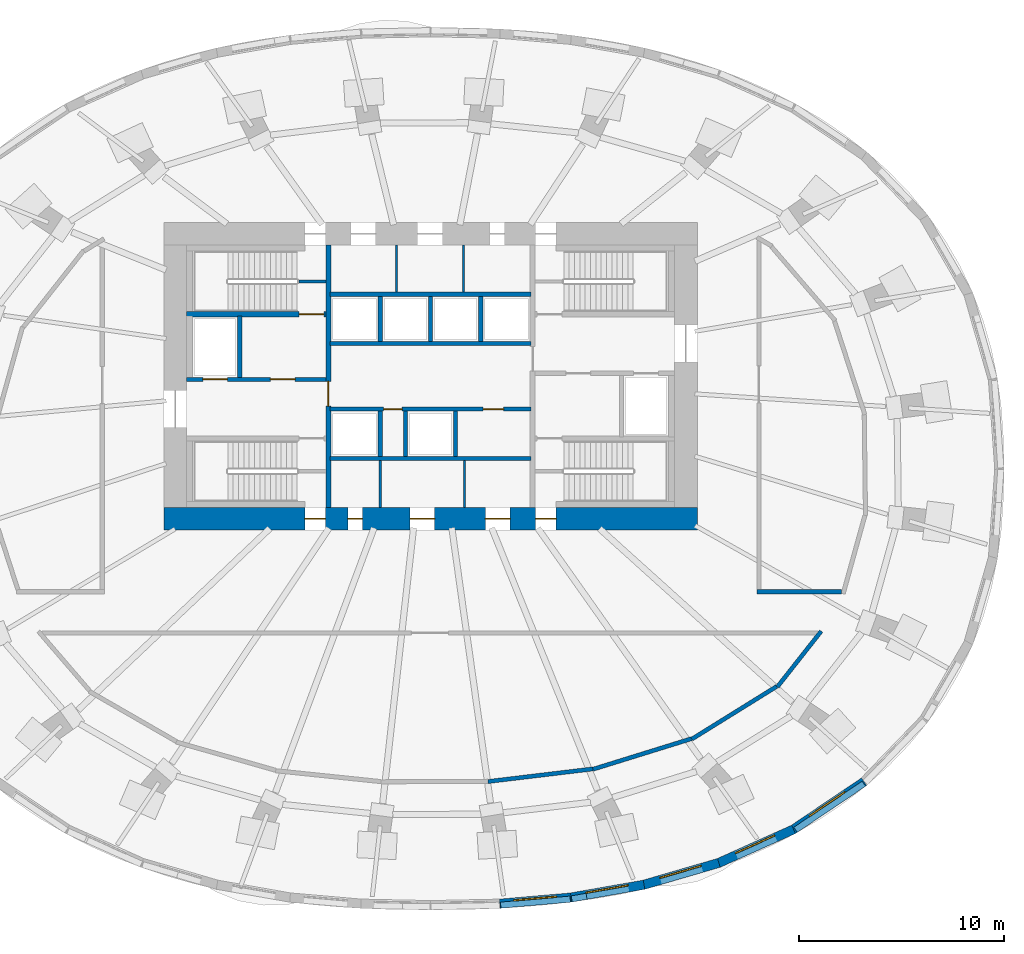
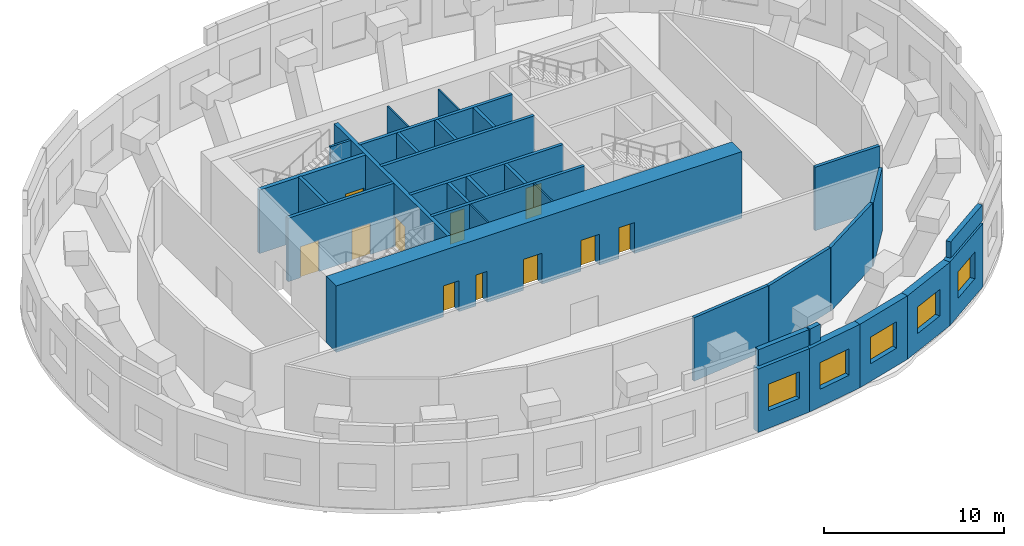
# One storey, part 5 of 9: 33 walls, 11 doors, 5 windows, 16 openings.
"""IFC4 building model written with IfcOpenShell, lengths in metres."""

from ifc_helpers import new_model, si_unit, direction, frame, frame_2d, origin, place, context, subcontext, project, spatial, rectangle, extrude, material, layer, layer_set, type_object, element, fill, save


model = new_model("IFC4")

# Units and contexts
model_context = context("Model", 3, precision=1e-05, world=origin(), true_north=direction((0.0, 1.0)))
body_context = subcontext(model_context, "Body", "Model", "MODEL_VIEW")
ifc_project = project(units=[si_unit("LENGTHUNIT", "METRE"), si_unit("AREAUNIT", "SQUARE_METRE"), si_unit("VOLUMEUNIT", "CUBIC_METRE"), si_unit("PLANEANGLEUNIT", "RADIAN"), si_unit("MASSUNIT", "GRAM", prefix="KILO")], contexts=[model_context])

# Site, building, storey
site_placement = place(None, origin())
site = spatial("IfcSite", under=ifc_project, at=site_placement, CompositionType="ELEMENT")
building_placement = place(site_placement, origin())
building = spatial("IfcBuilding", under=site, at=building_placement, Name="Rubra Terraces Tower", CompositionType="ELEMENT")
storey_placement = place(building_placement, frame((0.0, 0.0, 169.5)))
storey = spatial("IfcBuildingStorey", under=building, at=storey_placement, Name="L41", CompositionType="ELEMENT", Elevation=169.5)

# Wall, opening, window
ifc_material_1 = material(Name="Brick masonry red-brown", Category="masonry")
ifc_layer_1 = layer(ifc_material_1, 0.449951171875)
ifc_layer_set_1 = layer_set([ifc_layer_1], Name="Brick masonry red-brown")
wall_type_1 = type_object("IfcWallType", Name="Brick facade wall 450", PredefinedType="SOLIDWALL", material=ifc_layer_set_1)
wall_1_placement = place(storey_placement, frame((3.37451171875, -21.202880859375, 0.0), z_axis=(0.0, 0.0, 1.0), x_axis=(0.99625818993, 0.086426957587, 0.0)))
wall_1 = element("IfcWall", 1, at=wall_1_placement, inside=storey, type_object=wall_type_1, Name="Facade wall L41 bay 32", PredefinedType="SOLIDWALL", context=body_context, shape_type="SweptSolid", body=[
    extrude(rectangle(XDim=3.48291015625, YDim=0.449951171875, at=frame_2d((1.741455078125, 0.0))), origin(), (0.0, 0.0, 1.0), 4.300048828125),
])
opening_1_placement = place(wall_1_placement, frame((0.69140625, 0.0, 1.199951171875)))
opening_1 = element("IfcOpeningElement", 2, at=opening_1_placement, cuts=wall_1, Name="Opening W4", PredefinedType="OPENING", context=body_context, shape_type="SweptSolid", body=[
    extrude(rectangle(XDim=2.10009765625, YDim=1.800048828125, at=frame_2d((1.050048828125, 0.89990234375))), frame((0.0, 0.23486328125, 0.0), z_axis=(0.0, -1.0, 0.0), x_axis=(1.0, 0.0, 0.0)), (0.0, 0.0, 1.0), 0.469970703125),
])
ifc_material_2 = material(Name="Clear glass in aluminium frame", Category="aluminium")
window_type = type_object("IfcWindowType", Name="Louvred plant window 2100 x 1800", PartitioningType="SINGLE_PANEL", PredefinedType="WINDOW", material=ifc_material_2)
window_1_placement = place(opening_1_placement, origin())
window_1 = element("IfcWindow", 3, at=window_1_placement, inside=storey, type_object=window_type, Name="Window L41 bay 32", OverallHeight=1.800048828125, OverallWidth=2.10009765625, PartitioningType="SINGLE_PANEL", PredefinedType="WINDOW", context=body_context, shape_type="SweptSolid", body=[
    extrude(rectangle(XDim=2.10009765625, YDim=1.800048828125, at=frame_2d((1.050048828125, 0.89990234375))), frame((0.0, 0.135009765625, 0.0), z_axis=(0.0, -1.0, 0.0), x_axis=(1.0, 0.0, 0.0)), (0.0, 0.0, 1.0), 0.06005859375),
])
fill(opening_1, window_1)

wall_2_placement = place(storey_placement, frame((6.8251953125, -20.904296875, 0.0), z_axis=(0.0, 0.0, 1.0), x_axis=(0.984962239205, 0.172769752386, 0.0)))
wall_2 = element("IfcWall", 4, at=wall_2_placement, inside=storey, type_object=wall_type_1, Name="Facade wall L41 bay 33", PredefinedType="SOLIDWALL", context=body_context, shape_type="SweptSolid", body=[
    extrude(rectangle(XDim=3.634521484375, YDim=0.449951171875, at=frame_2d((1.8173828125, 0.0))), origin(), (0.0, 0.0, 1.0), 4.300048828125),
])
opening_2_placement = place(wall_2_placement, frame((0.767333984375, 0.0, 1.199951171875)))
opening_2 = element("IfcOpeningElement", 5, at=opening_2_placement, cuts=wall_2, Name="Opening W4", PredefinedType="OPENING", context=body_context, shape_type="SweptSolid", body=[
    extrude(rectangle(XDim=2.10009765625, YDim=1.800048828125, at=frame_2d((1.050048828125, 0.89990234375))), frame((0.0, 0.23486328125, 0.0), z_axis=(0.0, -1.0, 0.0), x_axis=(1.0, 0.0, 0.0)), (0.0, 0.0, 1.0), 0.469970703125),
])
window_2_placement = place(opening_2_placement, origin())
window_2 = element("IfcWindow", 6, at=window_2_placement, inside=storey, type_object=window_type, Name="Window L41 bay 33", OverallHeight=1.800048828125, OverallWidth=2.10009765625, PartitioningType="SINGLE_PANEL", PredefinedType="WINDOW", context=body_context, shape_type="SweptSolid", body=[
    extrude(rectangle(XDim=2.10009765625, YDim=1.800048828125, at=frame_2d((1.050048828125, 0.89990234375))), frame((0.0, 0.135009765625, 0.0), z_axis=(0.0, -1.0, 0.0), x_axis=(1.0, 0.0, 0.0)), (0.0, 0.0, 1.0), 0.06005859375),
])
fill(opening_2, window_2)

wall_3_placement = place(storey_placement, frame((10.381103515625, -20.281982421875, 0.0), z_axis=(0.0, 0.0, 1.0), x_axis=(0.960131452472, 0.279548911594, 0.0)))
wall_3 = element("IfcWall", 7, at=wall_3_placement, inside=storey, type_object=wall_type_1, Name="Facade wall L41 bay 34", PredefinedType="SOLIDWALL", context=body_context, shape_type="SweptSolid", body=[
    extrude(rectangle(XDim=3.824462890625, YDim=0.449951171875, at=frame_2d((1.912109375, 0.0))), origin(), (0.0, 0.0, 1.0), 4.300048828125),
])
opening_3_placement = place(wall_3_placement, frame((0.8623046875, 0.0, 1.199951171875)))
opening_3 = element("IfcOpeningElement", 8, at=opening_3_placement, cuts=wall_3, Name="Opening W4", PredefinedType="OPENING", context=body_context, shape_type="SweptSolid", body=[
    extrude(rectangle(XDim=2.10009765625, YDim=1.800048828125, at=frame_2d((1.050048828125, 0.89990234375))), frame((0.0, 0.23486328125, 0.0), z_axis=(0.0, -1.0, 0.0), x_axis=(1.0, 0.0, 0.0)), (0.0, 0.0, 1.0), 0.469970703125),
])
window_3_placement = place(opening_3_placement, origin())
window_3 = element("IfcWindow", 9, at=window_3_placement, inside=storey, type_object=window_type, Name="Window L41 bay 34", OverallHeight=1.800048828125, OverallWidth=2.10009765625, PartitioningType="SINGLE_PANEL", PredefinedType="WINDOW", context=body_context, shape_type="SweptSolid", body=[
    extrude(rectangle(XDim=2.10009765625, YDim=1.800048828125, at=frame_2d((1.050048828125, 0.89990234375))), frame((0.0, 0.135009765625, 0.0), z_axis=(0.0, -1.0, 0.0), x_axis=(1.0, 0.0, 0.0)), (0.0, 0.0, 1.0), 0.06005859375),
])
fill(opening_3, window_3)

wall_4_placement = place(storey_placement, frame((14.02392578125, -19.2236328125, 0.0), z_axis=(0.0, 0.0, 1.0), x_axis=(0.912580432801, 0.408897240966, 0.0)))
wall_4 = element("IfcWall", 10, at=wall_4_placement, inside=storey, type_object=wall_type_1, Name="Facade wall L41 bay 35", PredefinedType="SOLIDWALL", context=body_context, shape_type="SweptSolid", body=[
    extrude(rectangle(XDim=4.020751953125, YDim=0.449951171875, at=frame_2d((2.01025390625, 0.0))), origin(), (0.0, 0.0, 1.0), 4.300048828125),
])
opening_4_placement = place(wall_4_placement, frame((0.960205078125, 0.0, 1.199951171875)))
opening_4 = element("IfcOpeningElement", 11, at=opening_4_placement, cuts=wall_4, Name="Opening W4", PredefinedType="OPENING", context=body_context, shape_type="SweptSolid", body=[
    extrude(rectangle(XDim=2.10009765625, YDim=1.800048828125, at=frame_2d((1.050048828125, 0.89990234375))), frame((0.0, 0.23486328125, 0.0), z_axis=(0.0, -1.0, 0.0), x_axis=(1.0, 0.0, 0.0)), (0.0, 0.0, 1.0), 0.469970703125),
])
window_4_placement = place(opening_4_placement, origin())
window_4 = element("IfcWindow", 12, at=window_4_placement, inside=storey, type_object=window_type, Name="Window L41 bay 35", OverallHeight=1.800048828125, OverallWidth=2.10009765625, PartitioningType="SINGLE_PANEL", PredefinedType="WINDOW", context=body_context, shape_type="SweptSolid", body=[
    extrude(rectangle(XDim=2.10009765625, YDim=1.800048828125, at=frame_2d((1.050048828125, 0.89990234375))), frame((0.0, 0.135009765625, 0.0), z_axis=(0.0, -1.0, 0.0), x_axis=(1.0, 0.0, 0.0)), (0.0, 0.0, 1.0), 0.06005859375),
])
fill(opening_4, window_4)

wall_5_placement = place(storey_placement, frame((17.6591796875, -17.598388671875, 0.0), z_axis=(0.0, 0.0, 1.0), x_axis=(0.829077786947, 0.559133278557, 0.0)))
wall_5 = element("IfcWall", 13, at=wall_5_placement, inside=storey, type_object=wall_type_1, Name="Facade wall L41 bay 36", PredefinedType="SOLIDWALL", context=body_context, shape_type="SweptSolid", body=[
    extrude(rectangle(XDim=4.1865234375, YDim=0.449951171875, at=frame_2d((2.09326171875, 0.0))), origin(), (0.0, 0.0, 1.0), 4.300048828125),
])
opening_5_placement = place(wall_5_placement, frame((1.043212890625, 0.0, 1.199951171875)))
opening_5 = element("IfcOpeningElement", 14, at=opening_5_placement, cuts=wall_5, Name="Opening W4", PredefinedType="OPENING", context=body_context, shape_type="SweptSolid", body=[
    extrude(rectangle(XDim=2.10009765625, YDim=1.800048828125, at=frame_2d((1.050048828125, 0.89990234375))), frame((0.0, 0.23486328125, 0.0), z_axis=(0.0, -1.0, 0.0), x_axis=(1.0, 0.0, 0.0)), (0.0, 0.0, 1.0), 0.469970703125),
])
window_5_placement = place(opening_5_placement, origin())
window_5 = element("IfcWindow", 15, at=window_5_placement, inside=storey, type_object=window_type, Name="Window L41 bay 36", OverallHeight=1.800048828125, OverallWidth=2.10009765625, PartitioningType="SINGLE_PANEL", PredefinedType="WINDOW", context=body_context, shape_type="SweptSolid", body=[
    extrude(rectangle(XDim=2.10009765625, YDim=1.800048828125, at=frame_2d((1.050048828125, 0.89990234375))), frame((0.0, 0.135009765625, 0.0), z_axis=(0.0, -1.0, 0.0), x_axis=(1.0, 0.0, 0.0)), (0.0, 0.0, 1.0), 0.06005859375),
])
fill(opening_5, window_5)

# Walls
ifc_layer_2 = layer(ifc_material_1, 0.300048828125)
ifc_layer_set_2 = layer_set([ifc_layer_2], Name="Brick masonry red-brown")
wall_type_2 = type_object("IfcWallType", Name="Brick parapet 300", PredefinedType="PARAPET", material=ifc_layer_set_2)
wall_6_placement = place(storey_placement, frame((3.420654296875, -21.274169921875, 4.5), z_axis=(0.0, 0.0, 1.0), x_axis=(0.996256198743, 0.086449907264, 0.0)))
element("IfcWall", 16, at=wall_6_placement, inside=storey, type_object=wall_type_2, Name="Parapet L41 bay 32", PredefinedType="PARAPET", context=body_context, shape_type="SweptSolid", body=[
    extrude(rectangle(XDim=3.400146484375, YDim=0.300048828125, at=frame_2d((1.7001953125, 0.0))), origin(), (0.0, 0.0, 1.0), 1.10009765625),
])
wall_7_placement = place(storey_placement, frame((6.880615234375, -20.970703125, 4.5), z_axis=(0.0, 0.0, 1.0), x_axis=(0.984983831582, 0.172646608778, 0.0)))
element("IfcWall", 17, at=wall_7_placement, inside=storey, type_object=wall_type_2, Name="Parapet L41 bay 33", PredefinedType="PARAPET", context=body_context, shape_type="SweptSolid", body=[
    extrude(rectangle(XDim=0.73388671875, YDim=0.300048828125, at=frame_2d((0.366943359375, 0.0))), origin(), (0.0, 0.0, 1.0), 1.10009765625),
])
wall_8_placement = place(storey_placement, frame((17.790771484375, -17.60009765625, 4.5), z_axis=(0.0, 0.0, 1.0), x_axis=(0.829064921322, 0.559152355118, 0.0)))
element("IfcWall", 18, at=wall_8_placement, inside=storey, type_object=wall_type_2, Name="Parapet L41 bay 36", PredefinedType="PARAPET", context=body_context, shape_type="SweptSolid", body=[
    extrude(rectangle(XDim=4.016845703125, YDim=0.300048828125, at=frame_2d((2.00830078125, 0.0))), origin(), (0.0, 0.0, 1.0), 1.10009765625),
])

# Wall, openings, doors
ifc_material_3 = material(Name="Concrete C60", Category="concrete")
ifc_layer_3 = layer(ifc_material_3, 1.10009765625)
ifc_layer_set_3 = layer_set([ifc_layer_3], Name="Concrete C60")
wall_type_3 = type_object("IfcWallType", Name="CORE WALL 1100 C60", PredefinedType="SHEAR", material=ifc_layer_set_3)
wall_9_placement = place(storey_placement, frame((-13.0, -2.449951171875, 0.0), z_axis=(0.0, 0.0, 1.0), x_axis=(1.0, 0.0, 0.0)))
wall_9 = element("IfcWall", 19, at=wall_9_placement, inside=storey, type_object=wall_type_3, Name="CORE WALL S L41", PredefinedType="SHEAR", context=body_context, shape_type="SweptSolid", body=[
    extrude(rectangle(XDim=26.0, YDim=1.10009765625, at=frame_2d((13.0, 0.0))), origin(), (0.0, 0.0, 1.0), 4.5),
])
opening_6_placement = place(wall_9_placement, frame((8.97509765625, 0.0, 0.0)))
opening_6 = element("IfcOpeningElement", 20, at=opening_6_placement, cuts=wall_9, Name="Opening L41.C15", PredefinedType="OPENING", context=body_context, shape_type="SweptSolid", body=[
    extrude(rectangle(XDim=0.699951171875, YDim=2.10009765625, at=frame_2d((0.35009765625, 1.050048828125))), frame((0.0, 0.56005859375, 0.0), z_axis=(0.0, -1.0, 0.0), x_axis=(1.0, 0.0, 0.0)), (0.0, 0.0, 1.0), 1.1201171875),
])
opening_7_placement = place(wall_9_placement, frame((12.0, 0.0, 0.0)))
opening_7 = element("IfcOpeningElement", 21, at=opening_7_placement, cuts=wall_9, Name="Opening L41.C16", PredefinedType="OPENING", context=body_context, shape_type="SweptSolid", body=[
    extrude(rectangle(XDim=1.199951171875, YDim=2.10009765625, at=frame_2d((0.60009765625, 1.050048828125))), frame((0.0, 0.56005859375, 0.0), z_axis=(0.0, -1.0, 0.0), x_axis=(1.0, 0.0, 0.0)), (0.0, 0.0, 1.0), 1.1201171875),
])
opening_8_placement = place(wall_9_placement, frame((15.675048828125, 0.0, 0.0)))
opening_8 = element("IfcOpeningElement", 22, at=opening_8_placement, cuts=wall_9, Name="Opening L41.C17", PredefinedType="OPENING", context=body_context, shape_type="SweptSolid", body=[
    extrude(rectangle(XDim=1.199951171875, YDim=2.10009765625, at=frame_2d((0.60009765625, 1.050048828125))), frame((0.0, 0.56005859375, 0.0), z_axis=(0.0, -1.0, 0.0), x_axis=(1.0, 0.0, 0.0)), (0.0, 0.0, 1.0), 1.1201171875),
])
opening_9_placement = place(wall_9_placement, frame((6.8798828125, 0.0, 0.0)))
opening_9 = element("IfcOpeningElement", 23, at=opening_9_placement, cuts=wall_9, Name="Opening L41.C21", PredefinedType="OPENING", context=body_context, shape_type="SweptSolid", body=[
    extrude(rectangle(XDim=1.0, YDim=2.10009765625, at=frame_2d((0.5, 1.050048828125))), frame((0.0, 0.56005859375, 0.0), z_axis=(0.0, -1.0, 0.0), x_axis=(1.0, 0.0, 0.0)), (0.0, 0.0, 1.0), 1.1201171875),
])
opening_10_placement = place(wall_9_placement, frame((18.1201171875, 0.0, 0.0)))
opening_10 = element("IfcOpeningElement", 24, at=opening_10_placement, cuts=wall_9, Name="Opening L41.C24", PredefinedType="OPENING", context=body_context, shape_type="SweptSolid", body=[
    extrude(rectangle(XDim=1.0, YDim=2.10009765625, at=frame_2d((0.5, 1.050048828125))), frame((0.0, 0.56005859375, 0.0), z_axis=(0.0, -1.0, 0.0), x_axis=(1.0, 0.0, 0.0)), (0.0, 0.0, 1.0), 1.1201171875),
])
ifc_material_4 = material(Name="Painted steel", Category="steel")
door_type_1 = type_object("IfcDoorType", Name="Fire door 1000x2100 single", OperationType="NOTDEFINED", PredefinedType="DOOR", material=ifc_material_4)
door_1_placement = place(opening_9_placement, origin())
door_1 = element("IfcDoor", 25, at=door_1_placement, inside=storey, type_object=door_type_1, Name="Stair S1 refuge door", OperationType="SINGLE_SWING_LEFT", OverallHeight=2.10009765625, OverallWidth=1.0, PredefinedType="DOOR", context=body_context, shape_type="SweptSolid", body=[
    extrude(rectangle(XDim=1.0, YDim=2.10009765625, at=frame_2d((0.5, 1.050048828125))), frame((0.0, 0.02490234375, 0.0), z_axis=(0.0, -1.0, 0.0), x_axis=(1.0, 0.0, 0.0)), (0.0, 0.0, 1.0), 0.050048828125),
])
fill(opening_9, door_1)
door_2_placement = place(opening_10_placement, origin())
door_2 = element("IfcDoor", 26, at=door_2_placement, inside=storey, type_object=door_type_1, Name="Stair S4 refuge door", OperationType="SINGLE_SWING_RIGHT", OverallHeight=2.10009765625, OverallWidth=1.0, PredefinedType="DOOR", context=body_context, shape_type="SweptSolid", body=[
    extrude(rectangle(XDim=1.0, YDim=2.10009765625, at=frame_2d((0.5, 1.050048828125))), frame((0.0, 0.02490234375, 0.0), z_axis=(0.0, -1.0, 0.0), x_axis=(1.0, 0.0, 0.0)), (0.0, 0.0, 1.0), 0.050048828125),
])
fill(opening_10, door_2)
door_type_2 = type_object("IfcDoorType", Name="Fire door 1200x2100 single", OperationType="NOTDEFINED", PredefinedType="DOOR", material=ifc_material_4)
door_3_placement = place(opening_7_placement, origin())
door_3 = element("IfcDoor", 27, at=door_3_placement, inside=storey, type_object=door_type_2, Name="Air handling plant room door", OperationType="SINGLE_SWING_RIGHT", OverallHeight=2.10009765625, OverallWidth=1.199951171875, PredefinedType="DOOR", context=body_context, shape_type="SweptSolid", body=[
    extrude(rectangle(XDim=1.199951171875, YDim=2.10009765625, at=frame_2d((0.60009765625, 1.050048828125))), frame((0.0, 0.02490234375, 0.0), z_axis=(0.0, -1.0, 0.0), x_axis=(1.0, 0.0, 0.0)), (0.0, 0.0, 1.0), 0.050048828125),
])
fill(opening_7, door_3)
door_4_placement = place(opening_8_placement, origin())
door_4 = element("IfcDoor", 28, at=door_4_placement, inside=storey, type_object=door_type_2, Name="Standby generator room door", OperationType="SINGLE_SWING_LEFT", OverallHeight=2.10009765625, OverallWidth=1.199951171875, PredefinedType="DOOR", context=body_context, shape_type="SweptSolid", body=[
    extrude(rectangle(XDim=1.199951171875, YDim=2.10009765625, at=frame_2d((0.60009765625, 1.050048828125))), frame((0.0, 0.02490234375, 0.0), z_axis=(0.0, -1.0, 0.0), x_axis=(1.0, 0.0, 0.0)), (0.0, 0.0, 1.0), 0.050048828125),
])
fill(opening_8, door_4)
door_type_3 = type_object("IfcDoorType", Name="Riser access door 700x2100 single", OperationType="NOTDEFINED", PredefinedType="DOOR", material=ifc_material_4)
door_5_placement = place(opening_6_placement, origin())
door_5 = element("IfcDoor", 29, at=door_5_placement, inside=storey, type_object=door_type_3, Name="M&E riser room door", OperationType="SINGLE_SWING_LEFT", OverallHeight=2.10009765625, OverallWidth=0.699951171875, PredefinedType="DOOR", context=body_context, shape_type="SweptSolid", body=[
    extrude(rectangle(XDim=0.699951171875, YDim=2.10009765625, at=frame_2d((0.35009765625, 1.050048828125))), frame((0.0, 0.02490234375, 0.0), z_axis=(0.0, -1.0, 0.0), x_axis=(1.0, 0.0, 0.0)), (0.0, 0.0, 1.0), 0.050048828125),
])
fill(opening_6, door_5)

ifc_material_5 = material(Name="Concrete C30", Category="concrete")
ifc_layer_4 = layer(ifc_material_5, 0.199951171875)
ifc_layer_set_4 = layer_set([ifc_layer_4], Name="Concrete C30")
wall_type_4 = type_object("IfcWallType", Name="Core wall 200 concrete", PredefinedType="SOLIDWALL", material=ifc_layer_set_4)
wall_10_placement = place(storey_placement, frame((-11.89990234375, 4.35009765625, 0.0), z_axis=(0.0, 0.0, 1.0), x_axis=(1.0, 0.0, 0.0)))
wall_10 = element("IfcWall", 30, at=wall_10_placement, inside=storey, type_object=wall_type_4, Name="STAIR WALL L41", PredefinedType="SOLIDWALL", context=body_context, shape_type="SweptSolid", body=[
    extrude(rectangle(XDim=6.7998046875, YDim=0.199951171875, at=frame_2d((3.39990234375, 0.0))), origin(), (0.0, 0.0, 1.0), 4.300048828125),
])
opening_11_placement = place(wall_10_placement, frame((4.10009765625, 0.0, 0.0)))
opening_11 = element("IfcOpeningElement", 31, at=opening_11_placement, cuts=wall_10, Name="Opening L41.C05", PredefinedType="OPENING", context=body_context, shape_type="SweptSolid", body=[
    extrude(rectangle(XDim=1.199951171875, YDim=2.10009765625, at=frame_2d((0.60009765625, 1.050048828125))), frame((0.0, 0.10986328125, 0.0), z_axis=(0.0, -1.0, 0.0), x_axis=(1.0, 0.0, 0.0)), (0.0, 0.0, 1.0), 0.219970703125),
])
opening_12_placement = place(wall_10_placement, frame((0.800048828125, 0.0, 0.0)))
opening_12 = element("IfcOpeningElement", 32, at=opening_12_placement, cuts=wall_10, Name="Opening L41.C11", PredefinedType="OPENING", context=body_context, shape_type="SweptSolid", body=[
    extrude(rectangle(XDim=1.199951171875, YDim=2.10009765625, at=frame_2d((0.60009765625, 1.050048828125))), frame((0.0, 0.10986328125, 0.0), z_axis=(0.0, -1.0, 0.0), x_axis=(1.0, 0.0, 0.0)), (0.0, 0.0, 1.0), 0.219970703125),
])
door_6_placement = place(opening_11_placement, origin())
door_6 = element("IfcDoor", 33, at=door_6_placement, inside=storey, type_object=door_type_2, Name="Stair vestibule door S2", OperationType="SINGLE_SWING_LEFT", OverallHeight=2.10009765625, OverallWidth=1.199951171875, PredefinedType="DOOR", context=body_context, shape_type="SweptSolid", body=[
    extrude(rectangle(XDim=1.199951171875, YDim=2.10009765625, at=frame_2d((0.60009765625, 1.050048828125))), frame((0.0, 0.02490234375, 0.0), z_axis=(0.0, -1.0, 0.0), x_axis=(1.0, 0.0, 0.0)), (0.0, 0.0, 1.0), 0.050048828125),
])
fill(opening_11, door_6)
ifc_material_6 = material(Name="Stainless steel", Category="steel")
door_type_4 = type_object("IfcDoorType", Name="Lift landing door 1200x2100", OperationType="NOTDEFINED", PredefinedType="DOOR", material=ifc_material_6)
door_7_placement = place(opening_12_placement, origin())
door_7 = element("IfcDoor", 34, at=door_7_placement, inside=storey, type_object=door_type_4, Name="Landing door FF1", OperationType="SLIDING_TO_RIGHT", OverallHeight=2.10009765625, OverallWidth=1.199951171875, PredefinedType="DOOR", context=body_context, shape_type="SweptSolid", body=[
    extrude(rectangle(XDim=1.199951171875, YDim=2.10009765625, at=frame_2d((0.60009765625, 1.050048828125))), frame((0.0, 0.02490234375, 0.0), z_axis=(0.0, -1.0, 0.0), x_axis=(1.0, 0.0, 0.0)), (0.0, 0.0, 1.0), 0.050048828125),
])
fill(opening_12, door_7)

# Walls
wall_11_placement = place(storey_placement, frame((-9.300048828125, 4.449951171875, 0.0), z_axis=(0.0, 0.0, 1.0), x_axis=(0.0, 1.0, 0.0)))
element("IfcWall", 35, at=wall_11_placement, inside=storey, type_object=wall_type_4, Name="STAIR WALL L41", PredefinedType="SOLIDWALL", context=body_context, shape_type="SweptSolid", body=[
    extrude(rectangle(XDim=3.0, YDim=0.199951171875, at=frame_2d((1.5, 0.0))), origin(), (0.0, 0.0, 1.0), 4.300048828125),
])
wall_12_placement = place(storey_placement, frame((-4.89990234375, 0.5, 0.0), z_axis=(0.0, 0.0, 1.0), x_axis=(1.0, 0.0, 0.0)))
element("IfcWall", 36, at=wall_12_placement, inside=storey, type_object=wall_type_4, Name="LIFT SHAFT WALL L41", PredefinedType="SOLIDWALL", context=body_context, shape_type="SweptSolid", body=[
    extrude(rectangle(XDim=9.7998046875, YDim=0.199951171875, at=frame_2d((4.89990234375, 0.0))), origin(), (0.0, 0.0, 1.0), 4.300048828125),
])

# Wall, openings, doors
wall_13_placement = place(storey_placement, frame((-4.89990234375, 2.89990234375, 0.0), z_axis=(0.0, 0.0, 1.0), x_axis=(1.0, 0.0, 0.0)))
wall_13 = element("IfcWall", 37, at=wall_13_placement, inside=storey, type_object=wall_type_4, Name="LIFT SHAFT WALL L41", PredefinedType="SOLIDWALL", context=body_context, shape_type="SweptSolid", body=[
    extrude(rectangle(XDim=9.7998046875, YDim=0.199951171875, at=frame_2d((4.89990234375, 0.0))), origin(), (0.0, 0.0, 1.0), 4.300048828125),
])
opening_13_placement = place(wall_13_placement, frame((2.613037109375, 0.0, 0.0)))
opening_13 = element("IfcOpeningElement", 38, at=opening_13_placement, cuts=wall_13, Name="Opening L41.C13", PredefinedType="OPENING", context=body_context, shape_type="SweptSolid", body=[
    extrude(rectangle(XDim=0.89990234375, YDim=2.10009765625, at=frame_2d((0.449951171875, 1.050048828125))), frame((0.0, 0.10986328125, 0.0), z_axis=(0.0, -1.0, 0.0), x_axis=(1.0, 0.0, 0.0)), (0.0, 0.0, 1.0), 0.219970703125),
])
opening_14_placement = place(wall_13_placement, frame((7.462890625, 0.0, 0.0)))
opening_14 = element("IfcOpeningElement", 39, at=opening_14_placement, cuts=wall_13, Name="Opening L41.C14", PredefinedType="OPENING", context=body_context, shape_type="SweptSolid", body=[
    extrude(rectangle(XDim=1.0, YDim=2.10009765625, at=frame_2d((0.5, 1.050048828125))), frame((0.0, 0.10986328125, 0.0), z_axis=(0.0, -1.0, 0.0), x_axis=(1.0, 0.0, 0.0)), (0.0, 0.0, 1.0), 0.219970703125),
])
door_8_placement = place(opening_14_placement, origin())
door_8 = element("IfcDoor", 40, at=door_8_placement, inside=storey, type_object=door_type_1, Name="General store door", OperationType="SINGLE_SWING_RIGHT", OverallHeight=2.10009765625, OverallWidth=1.0, PredefinedType="DOOR", context=body_context, shape_type="SweptSolid", body=[
    extrude(rectangle(XDim=1.0, YDim=2.10009765625, at=frame_2d((0.5, 1.050048828125))), frame((0.0, 0.02490234375, 0.0), z_axis=(0.0, -1.0, 0.0), x_axis=(1.0, 0.0, 0.0)), (0.0, 0.0, 1.0), 0.050048828125),
])
fill(opening_14, door_8)
door_type_5 = type_object("IfcDoorType", Name="Fire door 900x2100 single", OperationType="NOTDEFINED", PredefinedType="DOOR", material=ifc_material_4)
door_9_placement = place(opening_13_placement, origin())
door_9 = element("IfcDoor", 41, at=door_9_placement, inside=storey, type_object=door_type_5, Name="Cleaner's store door", OperationType="SINGLE_SWING_LEFT", OverallHeight=2.10009765625, OverallWidth=0.89990234375, PredefinedType="DOOR", context=body_context, shape_type="SweptSolid", body=[
    extrude(rectangle(XDim=0.89990234375, YDim=2.10009765625, at=frame_2d((0.449951171875, 1.050048828125))), frame((0.0, 0.02490234375, 0.0), z_axis=(0.0, -1.0, 0.0), x_axis=(1.0, 0.0, 0.0)), (0.0, 0.0, 1.0), 0.050048828125),
])
fill(opening_13, door_9)

# Walls
for number, where, z_axis, x_axis, name in (
    (42, (-4.89990234375, 6.10009765625, 0.0), (0.0, 0.0, 1.0), (1.0, 0.0, 0.0), "LIFT SHAFT WALL L41"),
    (43, (-4.89990234375, 8.5, 0.0), (0.0, 0.0, 1.0), (1.0, 0.0, 0.0), "LIFT SHAFT WALL L41"),
):
    element("IfcWall", number, at=place(storey_placement, frame(where, z_axis=z_axis, x_axis=x_axis)), inside=storey, type_object=wall_type_4, Name=name, PredefinedType="SOLIDWALL", context=body_context, shape_type="SweptSolid", body=[
        extrude(rectangle(XDim=9.7998046875, YDim=0.199951171875, at=frame_2d((4.89990234375, 0.0))), origin(), (0.0, 0.0, 1.0), 4.300048828125),
    ])
for number, where, z_axis, x_axis, name in (
    (44, (-2.449951171875, 0.60009765625, 0.0), (0.0, 0.0, 1.0), (0.0, 1.0, 0.0), "LIFT SHAFT WALL L41"),
    (45, (-1.22509765625, 0.60009765625, 0.0), (0.0, 0.0, 1.0), (0.0, 1.0, 0.0), "LIFT SHAFT WALL L41"),
    (46, (1.22509765625, 0.60009765625, 0.0), (0.0, 0.0, 1.0), (0.0, 1.0, 0.0), "LIFT SHAFT WALL L41"),
    (47, (-2.449951171875, 6.199951171875, 0.0), (0.0, 0.0, 1.0), (0.0, 1.0, 0.0), "LIFT SHAFT WALL L41"),
    (48, (0.0, 6.199951171875, 0.0), (0.0, 0.0, 1.0), (0.0, 1.0, 0.0), "LIFT SHAFT WALL L41"),
    (49, (2.449951171875, 6.199951171875, 0.0), (0.0, 0.0, 1.0), (0.0, 1.0, 0.0), "LIFT SHAFT WALL L41"),
):
    element("IfcWall", number, at=place(storey_placement, frame(where, z_axis=z_axis, x_axis=x_axis)), inside=storey, type_object=wall_type_4, Name=name, PredefinedType="SOLIDWALL", context=body_context, shape_type="SweptSolid", body=[
        extrude(rectangle(XDim=2.199951171875, YDim=0.199951171875, at=frame_2d((1.10009765625, 0.0))), origin(), (0.0, 0.0, 1.0), 4.300048828125),
    ])
ifc_material_7 = material(Name="Blockwork", Category="masonry")
ifc_layer_5 = layer(ifc_material_7, 0.199951171875)
ifc_layer_set_5 = layer_set([ifc_layer_5], Name="Blockwork")
wall_type_5 = type_object("IfcWallType", Name="Corridor partition 200 blockwork", PredefinedType="PARTITIONING", material=ifc_layer_set_5)
wall_14_placement = place(storey_placement, frame((19.041015625, -7.9208984375, 0.0), z_axis=(0.0, 0.0, 1.0), x_axis=(-0.618817980567, -0.785534408493, 0.0)))
element("IfcWall", 50, at=wall_14_placement, inside=storey, type_object=wall_type_5, Name="Partition wall", PredefinedType="PARTITIONING", context=body_context, shape_type="SweptSolid", body=[
    extrude(rectangle(XDim=3.4501953125, YDim=0.199951171875, at=frame_2d((1.72509765625, 0.0))), origin(), (0.0, 0.0, 1.0), 4.300048828125),
])
wall_15_placement = place(storey_placement, frame((16.883056640625, -10.60498046875, 0.0), z_axis=(0.0, 0.0, 1.0), x_axis=(-0.849608511022, -0.527413858368, 0.0)))
element("IfcWall", 51, at=wall_15_placement, inside=storey, type_object=wall_type_5, Name="Partition wall", PredefinedType="PARTITIONING", context=body_context, shape_type="SweptSolid", body=[
    extrude(rectangle(XDim=4.885986328125, YDim=0.199951171875, at=frame_2d((2.44287109375, 0.0))), origin(), (0.0, 0.0, 1.0), 4.300048828125),
])
wall_16_placement = place(storey_placement, frame((12.720947265625, -13.158935546875, 0.0), z_axis=(0.0, 0.0, 1.0), x_axis=(-0.955038559717, -0.296481617396, 0.0)))
element("IfcWall", 52, at=wall_16_placement, inside=storey, type_object=wall_type_5, Name="Partition wall", PredefinedType="PARTITIONING", context=body_context, shape_type="SweptSolid", body=[
    extrude(rectangle(XDim=5.0322265625, YDim=0.199951171875, at=frame_2d((2.51611328125, 0.0))), origin(), (0.0, 0.0, 1.0), 4.300048828125),
])
wall_17_placement = place(storey_placement, frame((7.912109375, -14.633056640625, 0.0), z_axis=(0.0, 0.0, 1.0), x_axis=(-0.992841344803, -0.119440629808, 0.0)))
element("IfcWall", 53, at=wall_17_placement, inside=storey, type_object=wall_type_5, Name="Partition wall", PredefinedType="PARTITIONING", context=body_context, shape_type="SweptSolid", body=[
    extrude(rectangle(XDim=5.14892578125, YDim=0.199951171875, at=frame_2d((2.574462890625, 0.0))), origin(), (0.0, 0.0, 1.0), 4.300048828125),
])
wall_18_placement = place(storey_placement, frame((20.0380859375, -6.0, 0.0), z_axis=(0.0, 0.0, 1.0), x_axis=(-1.0, 0.0, 0.0)))
element("IfcWall", 54, at=wall_18_placement, inside=storey, type_object=wall_type_5, Name="Partition wall", PredefinedType="PARTITIONING", context=body_context, shape_type="SweptSolid", body=[
    extrude(rectangle(XDim=4.13818359375, YDim=0.199951171875, at=frame_2d((2.069091796875, 0.0))), origin(), (0.0, 0.0, 1.0), 4.300048828125),
])
ifc_layer_6 = layer(ifc_material_7, 0.10009765625)
ifc_layer_set_6 = layer_set([ifc_layer_6], Name="Blockwork")
wall_type_6 = type_object("IfcWallType", Name="Service partition 100 blockwork", PredefinedType="PARTITIONING", material=ifc_layer_set_6)
for number, where, z_axis, x_axis, name in (
    (55, (-2.449951171875, -1.89990234375, 0.0), (0.0, 0.0, 1.0), (0.0, 1.0, 0.0), "SERVICE ROOM PARTITION L41"),
    (56, (1.64990234375, -1.89990234375, 0.0), (0.0, 0.0, 1.0), (0.0, 1.0, 0.0), "SERVICE ROOM PARTITION L41"),
    (57, (-1.64990234375, 8.60009765625, 0.0), (0.0, 0.0, 1.0), (0.0, 1.0, 0.0), "SERVICE ROOM PARTITION L41"),
    (58, (1.60009765625, 8.60009765625, 0.0), (0.0, 0.0, 1.0), (0.0, 1.0, 0.0), "SERVICE ROOM PARTITION L41"),
):
    element("IfcWall", number, at=place(storey_placement, frame(where, z_axis=z_axis, x_axis=x_axis)), inside=storey, type_object=wall_type_6, Name=name, PredefinedType="PARTITIONING", context=body_context, shape_type="SweptSolid", body=[
        extrude(rectangle(XDim=2.2998046875, YDim=0.10009765625, at=frame_2d((1.14990234375, 0.0))), origin(), (0.0, 0.0, 1.0), 4.300048828125),
    ])

# Wall, opening, door
ifc_material_8 = material(Name="Concrete C40", Category="concrete")
ifc_layer_7 = layer(ifc_material_8, 0.25)
ifc_layer_set_7 = layer_set([ifc_layer_7], Name="Concrete C40")
wall_type_7 = type_object("IfcWallType", Name="Stair enclosure wall 250 concrete", PredefinedType="SOLIDWALL", material=ifc_layer_set_7)
wall_19_placement = place(storey_placement, frame((-11.89990234375, 7.52490234375, 0.0), z_axis=(0.0, 0.0, 1.0), x_axis=(1.0, 0.0, 0.0)))
wall_19 = element("IfcWall", 59, at=wall_19_placement, inside=storey, type_object=wall_type_7, Name="STAIR WALL L41", PredefinedType="SOLIDWALL", context=body_context, shape_type="SweptSolid", body=[
    extrude(rectangle(XDim=6.7998046875, YDim=0.25, at=frame_2d((3.39990234375, 0.0))), origin(), (0.0, 0.0, 1.0), 4.300048828125),
])
opening_15_placement = place(wall_19_placement, frame((5.5, 0.0, 0.0)))
opening_15 = element("IfcOpeningElement", 60, at=opening_15_placement, cuts=wall_19, Name="Opening L41.C09", PredefinedType="OPENING", context=body_context, shape_type="SweptSolid", body=[
    extrude(rectangle(XDim=1.199951171875, YDim=2.10009765625, at=frame_2d((0.60009765625, 1.050048828125))), frame((0.0, 0.135009765625, 0.0), z_axis=(0.0, -1.0, 0.0), x_axis=(1.0, 0.0, 0.0)), (0.0, 0.0, 1.0), 0.27001953125),
])
door_10_placement = place(opening_15_placement, origin())
door_10 = element("IfcDoor", 61, at=door_10_placement, inside=storey, type_object=door_type_2, Name="Stair door S2", OperationType="SINGLE_SWING_LEFT", OverallHeight=2.10009765625, OverallWidth=1.199951171875, PredefinedType="DOOR", context=body_context, shape_type="SweptSolid", body=[
    extrude(rectangle(XDim=1.199951171875, YDim=2.10009765625, at=frame_2d((0.60009765625, 1.050048828125))), frame((0.0, 0.02490234375, 0.0), z_axis=(0.0, -1.0, 0.0), x_axis=(1.0, 0.0, 0.0)), (0.0, 0.0, 1.0), 0.050048828125),
])
fill(opening_15, door_10)

wall_20_placement = place(storey_placement, frame((-4.97509765625, -1.89990234375, 0.0), z_axis=(0.0, 0.0, 1.0), x_axis=(0.0, 1.0, 0.0)))
wall_20 = element("IfcWall", 62, at=wall_20_placement, inside=storey, type_object=wall_type_7, Name="CORE LOBBY WALL L41", PredefinedType="SOLIDWALL", context=body_context, shape_type="SweptSolid", body=[
    extrude(rectangle(XDim=12.7998046875, YDim=0.25, at=frame_2d((6.39990234375, 0.0))), origin(), (0.0, 0.0, 1.0), 4.300048828125),
])
opening_16_placement = place(wall_20_placement, frame((4.949951171875, 0.0, 0.0)))
opening_16 = element("IfcOpeningElement", 63, at=opening_16_placement, cuts=wall_20, Name="Opening L41.C03", PredefinedType="OPENING", context=body_context, shape_type="SweptSolid", body=[
    extrude(rectangle(XDim=1.199951171875, YDim=2.10009765625, at=frame_2d((0.60009765625, 1.050048828125))), frame((0.0, 0.135009765625, 0.0), z_axis=(0.0, -1.0, 0.0), x_axis=(1.0, 0.0, 0.0)), (0.0, 0.0, 1.0), 0.27001953125),
])
door_11_placement = place(opening_16_placement, origin())
door_11 = element("IfcDoor", 64, at=door_11_placement, inside=storey, type_object=door_type_2, Name="Firefighting lobby door FF1", OperationType="SINGLE_SWING_LEFT", OverallHeight=2.10009765625, OverallWidth=1.199951171875, PredefinedType="DOOR", context=body_context, shape_type="SweptSolid", body=[
    extrude(rectangle(XDim=1.199951171875, YDim=2.10009765625, at=frame_2d((0.60009765625, 1.050048828125))), frame((0.0, 0.02490234375, 0.0), z_axis=(0.0, -1.0, 0.0), x_axis=(1.0, 0.0, 0.0)), (0.0, 0.0, 1.0), 0.050048828125),
])
fill(opening_16, door_11)

# Wall
ifc_layer_8 = layer(ifc_material_8, 0.14990234375)
ifc_layer_set_8 = layer_set([ifc_layer_8], Name="Concrete C40")
wall_type_8 = type_object("IfcWallType", Name="Stair separation wall 150 concrete", PredefinedType="SOLIDWALL", material=ifc_layer_set_8)
wall_21_placement = place(storey_placement, frame((-6.39990234375, 9.125, 0.0), z_axis=(0.0, 0.0, 1.0), x_axis=(1.0, 0.0, 0.0)))
element("IfcWall", 65, at=wall_21_placement, inside=storey, type_object=wall_type_8, Name="STAIR SEPARATION WALL L41", PredefinedType="SOLIDWALL", context=body_context, shape_type="SweptSolid", body=[
    extrude(rectangle(XDim=1.2998046875, YDim=0.14990234375, at=frame_2d((0.64990234375, 0.0))), origin(), (0.0, 0.0, 1.0), 4.300048828125),
])

save(model, "model.ifc")
